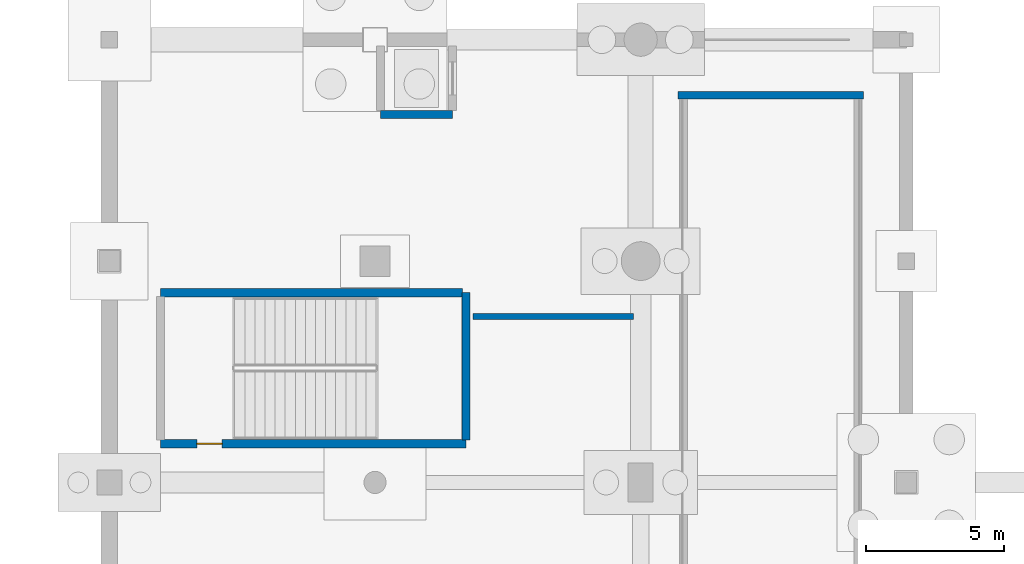
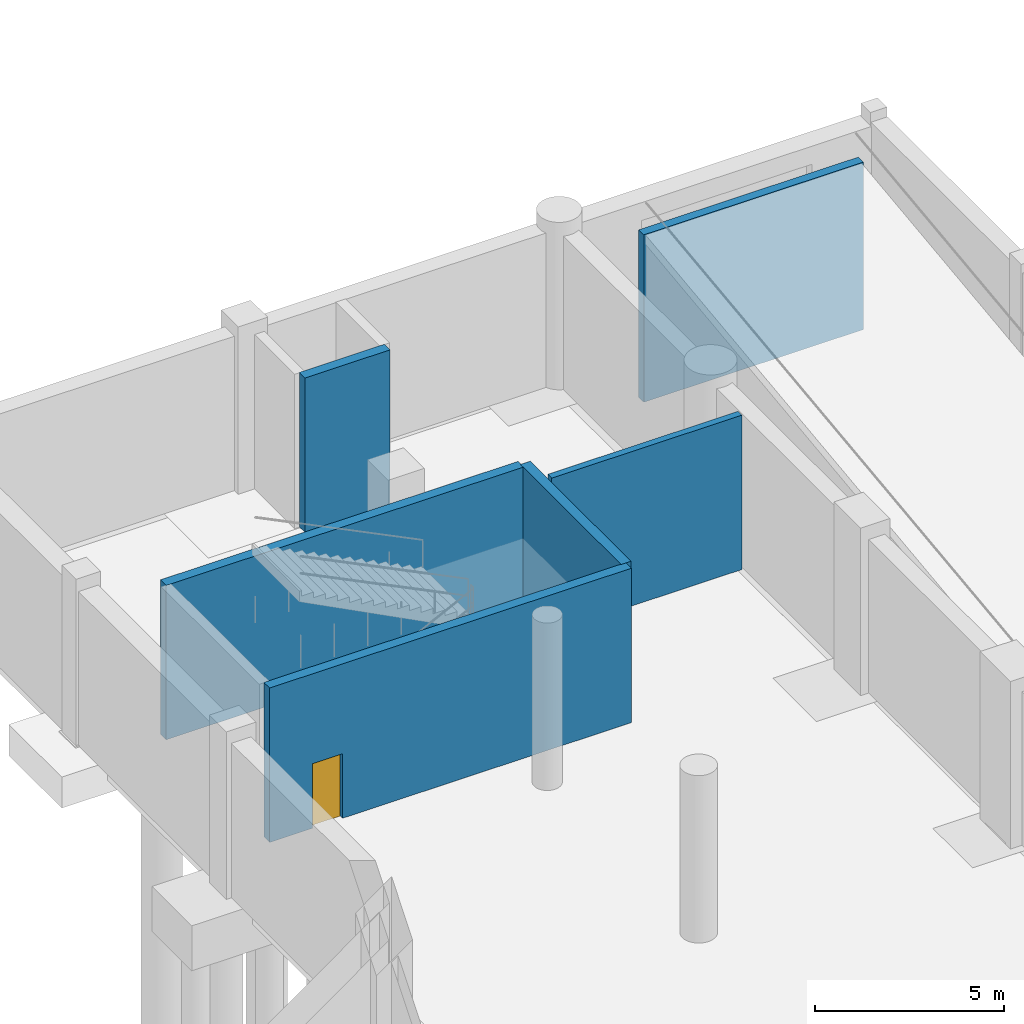
# One storey, part 25 of 44: 6 walls, 1 door, 1 opening.
"""IFC4 building model written with IfcOpenShell, lengths in metres."""

from ifc_helpers import new_model, si_unit, direction, frame, frame_2d, origin, place, context, subcontext, project, spatial, rectangle, extrude, material, layer, layer_set, type_object, element, fill, save


model = new_model("IFC4")

# Units and contexts
model_context = context("Model", 3, precision=1e-05, world=origin(), true_north=direction((0.0, 1.0)))
body_context = subcontext(model_context, "Body", "Model", "MODEL_VIEW")
ifc_project = project(units=[si_unit("LENGTHUNIT", "METRE"), si_unit("AREAUNIT", "SQUARE_METRE"), si_unit("VOLUMEUNIT", "CUBIC_METRE"), si_unit("PLANEANGLEUNIT", "RADIAN"), si_unit("MASSUNIT", "GRAM", prefix="KILO")], contexts=[model_context])

# Site, building, storey
site_placement = place(None, origin())
site = spatial("IfcSite", under=ifc_project, at=site_placement, CompositionType="ELEMENT")
building_placement = place(site_placement, origin())
building = spatial("IfcBuilding", under=site, at=building_placement, Name="Danafjord Basin Convention Centre", CompositionType="ELEMENT")
storey_placement = place(building_placement, frame((0.0, 0.0, -5.39990234375)))
storey = spatial("IfcBuildingStorey", under=building, at=storey_placement, Name="B1", CompositionType="ELEMENT", Elevation=-5.39990234375)

# Wall, opening, door
ifc_material_1 = material(Name="Concrete C40/50", Category="concrete")
ifc_layer_1 = layer(ifc_material_1, 0.300048828125)
ifc_layer_set_1 = layer_set([ifc_layer_1], Name="Concrete C40/50")
wall_type_1 = type_object("IfcWallType", Name="WALL-CW-CORE300", PredefinedType="SHEAR", material=ifc_layer_set_1)
wall_1_placement = place(storey_placement, frame((97.85009765625, 121.39990234375, 0.0), z_axis=(0.0, 0.0, 1.0), x_axis=(1.0, 0.0, 0.0)))
wall_1 = element("IfcWall", 1, at=wall_1_placement, inside=storey, type_object=wall_type_1, Name="North Exhibition Core Stair 1 core shear wall (south)", PredefinedType="SHEAR", context=body_context, shape_type="SweptSolid", body=[
    extrude(rectangle(XDim=11.039794921875, YDim=0.300048828125, at=frame_2d((5.52001953125, 0.0))), origin(), (0.0, 0.0, 1.0), 4.97998046875),
])
opening_placement = place(wall_1_placement, frame((1.31201171875, 0.0, 0.0)))
opening = element("IfcOpeningElement", 2, at=opening_placement, cuts=wall_1, Name="Opening FD-S01", PredefinedType="OPENING", context=body_context, shape_type="SweptSolid", body=[
    extrude(rectangle(XDim=0.909912109375, YDim=2.080078125, at=frame_2d((0.455078125, 1.0400390625))), frame((0.0, 0.159912109375, 0.0), z_axis=(0.0, -1.0, 0.0), x_axis=(1.0, 0.0, 0.0)), (0.0, 0.0, 1.0), 0.320068359375),
])
ifc_material_2 = material(Name="Powder-coated steel and Nordic oak", Category="steel")
door_type = type_object("IfcDoorType", Name="DOOR-FD-S01", OperationType="NOTDEFINED", PredefinedType="DOOR", material=ifc_material_2)
door_placement = place(opening_placement, origin())
door = element("IfcDoor", 3, at=door_placement, inside=storey, type_object=door_type, Name="North Exhibition Core Stair 1 B1 Fire Exit Door", OperationType="SINGLE_SWING_RIGHT", OverallHeight=2.080078125, OverallWidth=0.909912109375, PredefinedType="DOOR", context=body_context, shape_type="SweptSolid", body=[
    extrude(rectangle(XDim=0.909912109375, YDim=2.080078125, at=frame_2d((0.455078125, 1.0400390625))), frame((0.0, 0.02490234375, 0.0), z_axis=(0.0, -1.0, 0.0), x_axis=(1.0, 0.0, 0.0)), (0.0, 0.0, 1.0), 0.050048828125),
])
fill(opening, door)

# Walls
wall_2_placement = place(storey_placement, frame((108.889892578125, 121.534912109375, 0.0), z_axis=(0.0, 0.0, 1.0), x_axis=(0.0, 1.0, 0.0)))
element("IfcWall", 4, at=wall_2_placement, inside=storey, type_object=wall_type_1, Name="North Exhibition Core Stair 1 core shear wall (east)", PredefinedType="SHEAR", context=body_context, shape_type="SweptSolid", body=[
    extrude(rectangle(XDim=5.3251953125, YDim=0.300048828125, at=frame_2d((2.66259765625, 0.0))), origin(), (0.0, 0.0, 1.0), 4.97998046875),
])
wall_3_placement = place(storey_placement, frame((108.7548828125, 126.860107421875, 0.0), z_axis=(0.0, 0.0, 1.0), x_axis=(-1.0, 0.0, 0.0)))
element("IfcWall", 5, at=wall_3_placement, inside=storey, type_object=wall_type_1, Name="North Exhibition Core Stair 1 core shear wall (north)", PredefinedType="SHEAR", context=body_context, shape_type="SweptSolid", body=[
    extrude(rectangle(XDim=10.90478515625, YDim=0.300048828125, at=frame_2d((5.452392578125, 0.0))), origin(), (0.0, 0.0, 1.0), 4.97998046875),
])
wall_4_placement = place(storey_placement, frame((105.800048828125, 133.300048828125, 0.0), z_axis=(0.0, 0.0, 1.0), x_axis=(1.0, 0.0, 0.0)))
element("IfcWall", 6, at=wall_4_placement, inside=storey, type_object=wall_type_1, Name="Lift LF-P04 shaft shear wall", PredefinedType="SHEAR", context=body_context, shape_type="SweptSolid", body=[
    extrude(rectangle(XDim=2.599853515625, YDim=0.300048828125, at=frame_2d((1.2998046875, 0.0))), origin(), (0.0, 0.0, 1.0), 4.97998046875),
])
ifc_layer_2 = layer(ifc_material_1, 0.27001953125)
ifc_layer_set_2 = layer_set([ifc_layer_2], Name="Concrete C40/50")
wall_type_2 = type_object("IfcWallType", Name="WALL-RISER-270", PredefinedType="SHEAR", material=ifc_layer_set_2)
wall_5_placement = place(storey_placement, frame((116.550048828125, 134.0, 0.0), z_axis=(0.0, 0.0, 1.0), x_axis=(1.0, 0.0, 0.0)))
element("IfcWall", 7, at=wall_5_placement, inside=storey, type_object=wall_type_2, Name="Vehicle ramp VR-01 top landing bearing wall", PredefinedType="SHEAR", context=body_context, shape_type="SweptSolid", body=[
    extrude(rectangle(XDim=6.699951171875, YDim=0.27001953125, at=frame_2d((3.35009765625, 0.0))), origin(), (0.0, 0.0, 1.0), 5.39990234375),
])
ifc_material_3 = material(Name="Concrete C35/45", Category="concrete")
ifc_layer_3 = layer(ifc_material_3, 0.205078125)
ifc_layer_set_3 = layer_set([ifc_layer_3], Name="Concrete C35/45")
wall_type_3 = type_object("IfcWallType", Name="WALL-W-COMP205", PredefinedType="SOLIDWALL", material=ifc_layer_set_3)
wall_6_placement = place(storey_placement, frame((114.946044921875, 126.0, 0.0), z_axis=(0.0, 0.0, 1.0), x_axis=(-1.0, 0.0, 0.0)))
element("IfcWall", 8, at=wall_6_placement, inside=storey, type_object=wall_type_3, Name="Primary District Cooling Chiller Plant north partition", PredefinedType="SOLIDWALL", context=body_context, shape_type="SweptSolid", body=[
    extrude(rectangle(XDim=5.80615234375, YDim=0.205078125, at=frame_2d((2.903076171875, 0.0))), origin(), (0.0, 0.0, 1.0), 4.97998046875),
])

save(model, "model.ifc")
